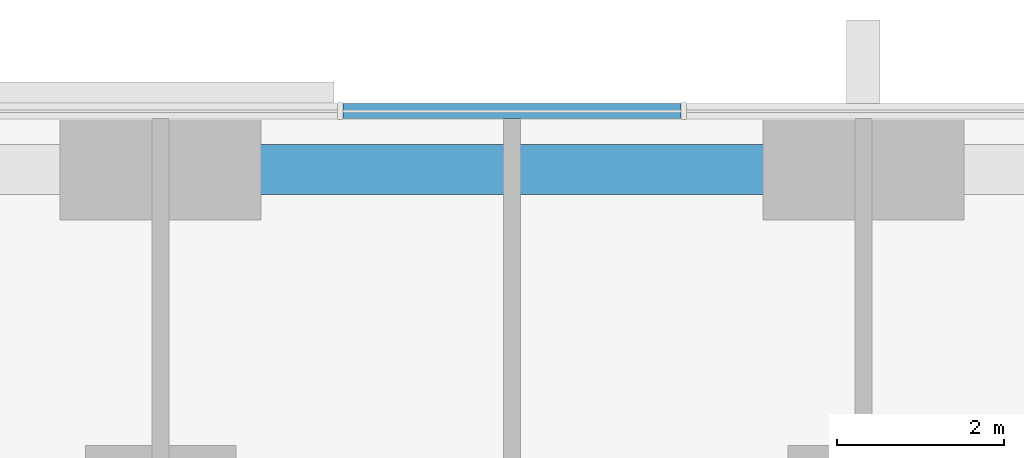
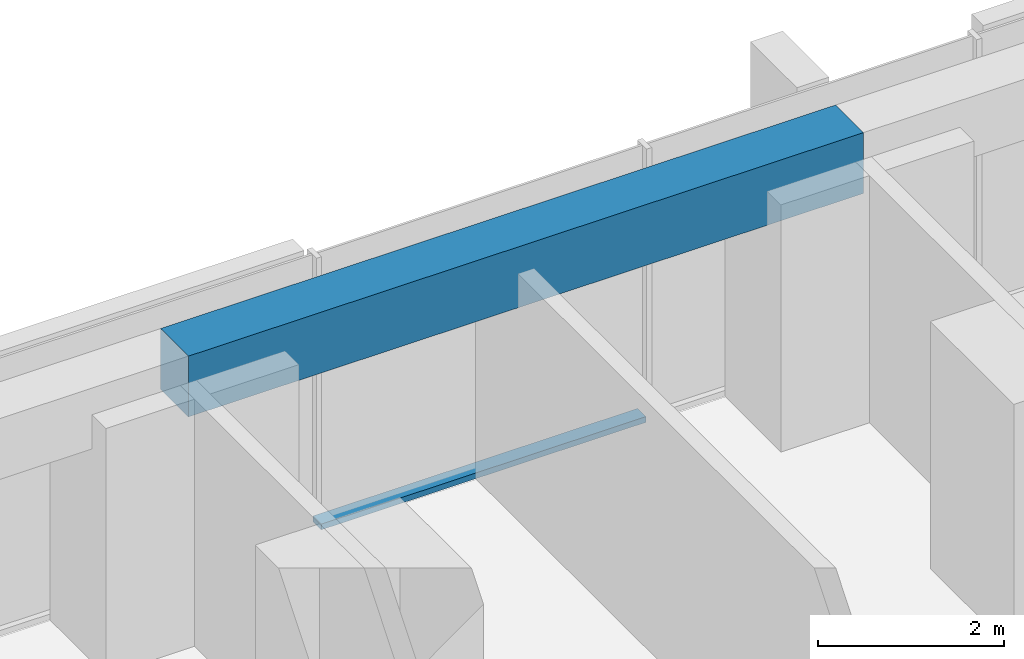
# One storey, part 7 of 17: 1 beam, 1 member, 1 element without a shape of its own.
"""IFC4 building model written with IfcOpenShell, lengths in metres."""

from ifc_helpers import new_model, si_unit, direction, frame, origin, origin_2d, place, context, subcontext, project, spatial, rectangle, extrude, material, material_profile, profile_set, type_object, element, aggregate, save


model = new_model("IFC4")

# Units and contexts
model_context = context("Model", 3, precision=1e-05, world=origin(), true_north=direction((0.0, 1.0)))
body_context = subcontext(model_context, "Body", "Model", "MODEL_VIEW")
ifc_project = project(units=[si_unit("LENGTHUNIT", "METRE"), si_unit("AREAUNIT", "SQUARE_METRE"), si_unit("VOLUMEUNIT", "CUBIC_METRE"), si_unit("PLANEANGLEUNIT", "RADIAN"), si_unit("MASSUNIT", "GRAM", prefix="KILO")], contexts=[model_context])

# Site, building, storey
site_placement = place(None, origin())
site = spatial("IfcSite", under=ifc_project, at=site_placement, CompositionType="ELEMENT")
building_placement = place(site_placement, origin())
building = spatial("IfcBuilding", under=site, at=building_placement, Name="Dunama Terrace Hotel", CompositionType="ELEMENT")
storey_placement = place(building_placement, frame((0.0, 0.0, 66.60009765625)))
storey = spatial("IfcBuildingStorey", under=building, at=storey_placement, Name="L16", CompositionType="ELEMENT", Elevation=66.60009765625)

# Curtain wall, member
ifc_material_1 = material(Name="Aluminium curtain wall system", Category="aluminium")
curtain_wall_type = type_object("IfcCurtainWallType", Name="Unitised fritted glass wall CW-A", PredefinedType="NOTDEFINED", material=ifc_material_1)
curtain_wall_placement = place(storey_placement, origin())
curtain_wall = element("IfcCurtainWall", 1, at=curtain_wall_placement, inside=storey, type_object=curtain_wall_type, Name="Unitised fritted glass wall CW-A L16", PredefinedType="NOTDEFINED")
ifc_material_2 = material(Name="Aluminium transom", Category="aluminium")
ifc_material_profile_1 = material_profile(ifc_material_2, rectangle(XDim=0.179931640625, YDim=0.074951171875, at=origin_2d()), Name="CWA TRANSOM 180X75")
ifc_profile_set_1 = profile_set([ifc_material_profile_1], Name="Aluminium transom")
member_type = type_object("IfcMemberType", Name="CWA transom 180x75", PredefinedType="USERDEFINED", material=ifc_profile_set_1)
member_placement = place(storey_placement, frame((31.4208984375, 58.89990234375, 0.037353515625), z_axis=(-1.0, 0.0, 0.0), x_axis=(0.0, -1.0, 0.0)))
member = element("IfcMember", 2, at=member_placement, type_object=member_type, Name="CWA transom", ObjectType="TRANSOM", PredefinedType="USERDEFINED", context=body_context, shape_type="SweptSolid", body=[
    extrude(rectangle(XDim=0.179931640625, YDim=0.074951171875, at=origin_2d()), origin(), (0.0, 0.0, 1.0), 4.0419921875),
])
aggregate(curtain_wall, [member])

# Beam
ifc_material_3 = material(Name="Concrete C40/50", Category="concrete")
ifc_material_profile_2 = material_profile(ifc_material_3, rectangle(XDim=0.60009765625, YDim=0.800048828125, at=origin_2d()), Name="RC 600x800")
ifc_profile_set_2 = profile_set([ifc_material_profile_2], Name="Concrete C40/50")
beam_type = type_object("IfcBeamType", Name="Edge beam RC 600x800", PredefinedType="SPANDREL", material=ifc_profile_set_2)
beam_placement = place(storey_placement, frame((25.199951171875, 58.199951171875, 3.199951171875), z_axis=(1.0, 0.0, 0.0), x_axis=(0.0, 1.0, 0.0)))
element("IfcBeam", 3, at=beam_placement, inside=storey, type_object=beam_type, Name="Edge beam under L17", PredefinedType="SPANDREL", context=body_context, shape_type="SweptSolid", body=[
    extrude(rectangle(XDim=0.60009765625, YDim=0.800048828125, at=origin_2d()), origin(), (0.0, 0.0, 1.0), 8.400146484375),
])

save(model, "model.ifc")
